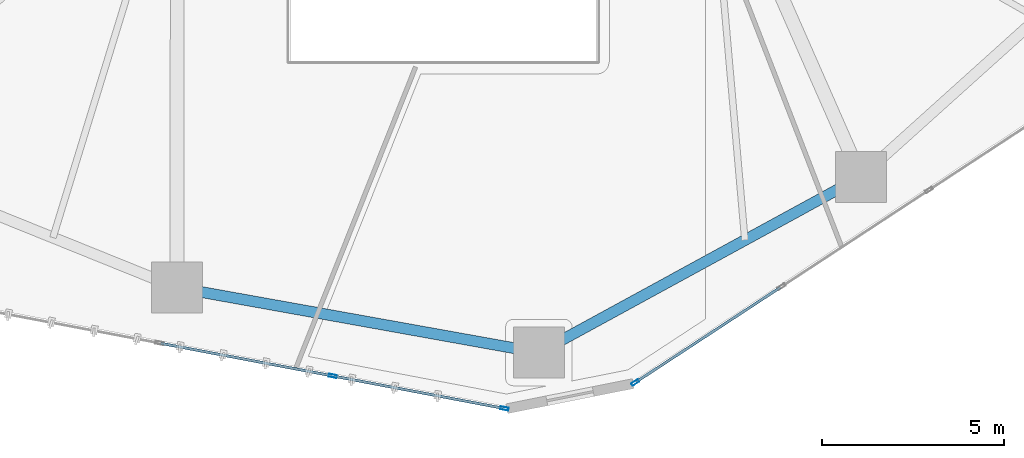
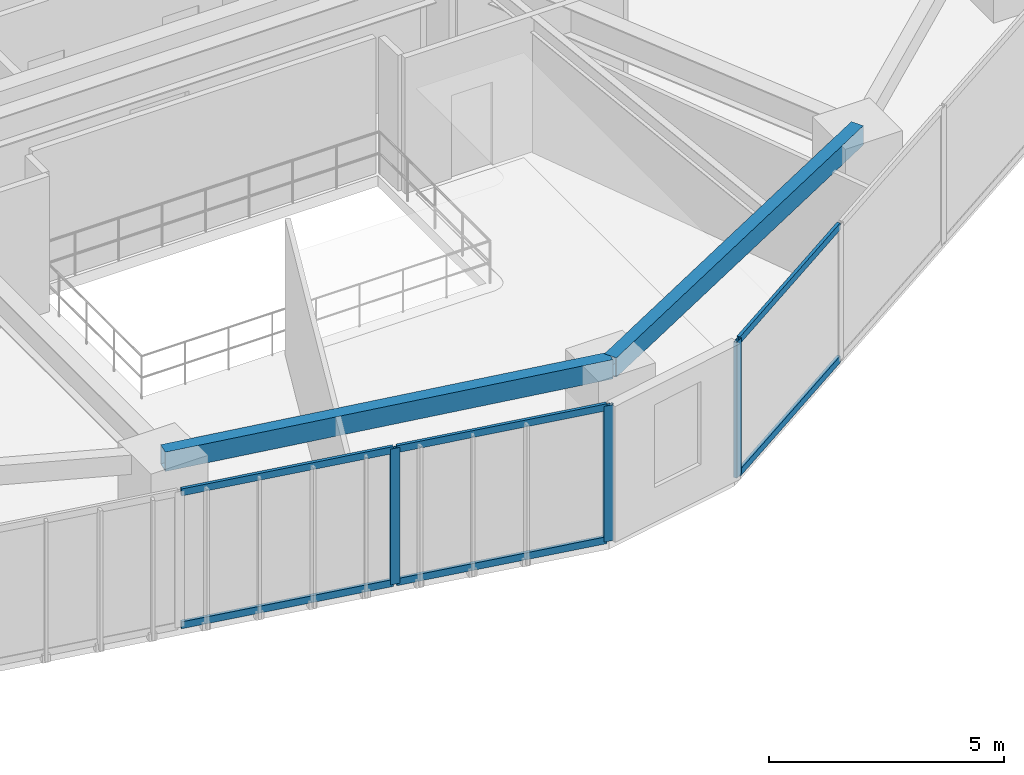
# One storey, part 4 of 20: 9 members, 2 beams, 2 elements without a shape of their own.
"""IFC4 building model written with IfcOpenShell, lengths in metres."""

from ifc_helpers import new_model, si_unit, direction, frame, origin, origin_2d, place, context, subcontext, project, spatial, hollow_rectangle, extrude, source, transform, mapped, material, layer, layer_set, material_profile, profile_set, type_object, type_shapes, element, aggregate, save


model = new_model("IFC4")

# Units and contexts
model_context = context("Model", 3, precision=1e-05, world=origin(), true_north=direction((0.0, 1.0)))
body_context = subcontext(model_context, "Body", "Model", "MODEL_VIEW")
ifc_project = project(units=[si_unit("LENGTHUNIT", "METRE"), si_unit("AREAUNIT", "SQUARE_METRE"), si_unit("VOLUMEUNIT", "CUBIC_METRE"), si_unit("PLANEANGLEUNIT", "RADIAN"), si_unit("MASSUNIT", "GRAM", prefix="KILO")], contexts=[model_context])

# Site, building, storey
site_placement = place(None, origin())
site = spatial("IfcSite", under=ifc_project, at=site_placement, CompositionType="ELEMENT")
building_placement = place(site_placement, origin())
building = spatial("IfcBuilding", under=site, at=building_placement, Name="Talar Marvaseh", CompositionType="ELEMENT")
storey_placement = place(building_placement, frame((0.0, 0.0, 58.199951171875)))
storey = spatial("IfcBuildingStorey", under=building, at=storey_placement, Name="L14", CompositionType="ELEMENT", Elevation=58.199951171875)

# Beams
ifc_material_1 = material(Name="Steel S355", Category="steel")
ifc_material_profile_1 = material_profile(ifc_material_1, hollow_rectangle(XDim=0.300048828125, YDim=0.5, WallThickness=0.02001953125, at=origin_2d()), Name="RHS500x300x20")
ifc_profile_set_1 = profile_set([ifc_material_profile_1], Name="Steel S355")
beam_type = type_object("IfcBeamType", Name="Zone 1 Perimeter Spandrel Beam RHS500x300x20", PredefinedType="SPANDREL", material=ifc_profile_set_1)
beam_1_placement = place(storey_placement, frame((37.468017578125, 16.02099609375, 3.27001953125), z_axis=(-0.877792749602, -0.47904059196, 0.0), x_axis=(0.47904059196, -0.877792749602, 0.0)))
element("IfcBeam", 1, at=beam_1_placement, inside=storey, type_object=beam_type, Name="L14 Zone 1 Perimeter Spandrel Beam RHS500x300x20", PredefinedType="SPANDREL", context=body_context, shape_type="SweptSolid", body=[
    extrude(hollow_rectangle(XDim=0.300048828125, YDim=0.5, WallThickness=0.02001953125, at=origin_2d()), origin(), (0.0, 0.0, 1.0), 10.07421875),
])
beam_2_placement = place(storey_placement, frame((28.625, 11.195068359375, 3.27001953125), z_axis=(-0.984279934962, 0.176615428632, 0.0), x_axis=(-0.176615428632, -0.984279934962, 0.0)))
element("IfcBeam", 2, at=beam_2_placement, inside=storey, type_object=beam_type, Name="L14 Zone 1 Perimeter Spandrel Beam RHS500x300x20", PredefinedType="SPANDREL", context=body_context, shape_type="SweptSolid", body=[
    extrude(hollow_rectangle(XDim=0.300048828125, YDim=0.5, WallThickness=0.02001953125, at=origin_2d()), origin(), (0.0, 0.0, 1.0), 10.1005859375),
])

# Curtain wall, member
ifc_material_2 = material(Name="Architectural Aluminium", Category="aluminium")
ifc_layer = layer(ifc_material_2, 0.219970703125)
ifc_layer_set = layer_set([ifc_layer], Name="Architectural Aluminium")
curtain_wall_type = type_object("IfcCurtainWallType", Name="Unitised Low-E Museum Curtain Wall Z1", PredefinedType="NOTDEFINED", material=ifc_layer_set)
curtain_wall_1_placement = place(storey_placement, origin())
curtain_wall_1 = element("IfcCurtainWall", 3, at=curtain_wall_1_placement, inside=storey, type_object=curtain_wall_type, Name="L14 Unitised Low-E Museum Curtain Wall Z1", PredefinedType="NOTDEFINED")
ifc_material_profile_2 = material_profile(ifc_material_2, hollow_rectangle(XDim=0.080078125, YDim=0.219970703125, WallThickness=0.0048828125, at=origin_2d()), Name="RHS220x80x5")
ifc_profile_set_2 = profile_set([ifc_material_profile_2], Name="Architectural Aluminium")
member_type_1 = type_object("IfcMemberType", Name="Unitised Curtain Wall Heavy Mullion RHS220x80x5", PredefinedType="MULLION", material=ifc_profile_set_2)
shared_shape_1 = source(origin(), body_context, "Body", "SweptSolid", [
    extrude(hollow_rectangle(XDim=0.080078125, YDim=0.219970703125, WallThickness=0.0048828125, at=origin_2d()), origin(), (0.0, 0.0, 1.0), 3.52001953125),
])
type_shapes(member_type_1, [shared_shape_1])
member_1_placement = place(storey_placement, frame((31.270263671875, 10.372314453125, 0.0), z_axis=(0.0, 0.0, 1.0), x_axis=(0.548163977673, -0.836370882792, 0.0)))
member_1 = element("IfcMember", 4, at=member_1_placement, type_object=member_type_1, Name="CW-Z1 mullion 6", PredefinedType="MULLION", context=body_context, shape_type="MappedRepresentation", body=[
    mapped(shared_shape_1, transform((0.0, 0.0, 0.0), x_axis=(1.0, 0.0, 0.0), y_axis=(0.0, 1.0, 0.0), z_axis=(0.0, 0.0, 1.0), scale=1.0)),
])

# Curtain wall, members
curtain_wall_2_placement = place(storey_placement, origin())
curtain_wall_2 = element("IfcCurtainWall", 5, at=curtain_wall_2_placement, inside=storey, type_object=curtain_wall_type, Name="L14 Unitised Low-E Museum Curtain Wall Z1", PredefinedType="NOTDEFINED")
member_2_placement = place(storey_placement, frame((27.685302734375, 9.659423828125, 0.0), z_axis=(0.0, 0.0, 1.0), x_axis=(-0.186373082508, -0.982479045128, 0.0)))
member_2 = element("IfcMember", 6, at=member_2_placement, type_object=member_type_1, Name="CW-Z1 mullion 1", PredefinedType="MULLION", context=body_context, shape_type="MappedRepresentation", body=[
    mapped(shared_shape_1, transform((0.0, 0.0, 0.0), x_axis=(1.0, 0.0, 0.0), y_axis=(0.0, 1.0, 0.0), z_axis=(0.0, 0.0, 1.0), scale=1.0)),
])
member_3_placement = place(storey_placement, frame((22.964111328125, 10.554931640625, 0.0), z_axis=(0.0, 0.0, 1.0), x_axis=(-0.186373082508, -0.982479045128, 0.0)))
member_3 = element("IfcMember", 7, at=member_3_placement, type_object=member_type_1, Name="CW-Z1 mullion 2", PredefinedType="MULLION", context=body_context, shape_type="MappedRepresentation", body=[
    mapped(shared_shape_1, transform((0.0, 0.0, 0.0), x_axis=(1.0, 0.0, 0.0), y_axis=(0.0, 1.0, 0.0), z_axis=(0.0, 0.0, 1.0), scale=1.0)),
])

# Member
ifc_material_profile_3 = material_profile(ifc_material_2, hollow_rectangle(XDim=0.074951171875, YDim=0.179931640625, WallThickness=0.0048828125, at=origin_2d()), Name="RHS180x75x5")
ifc_profile_set_3 = profile_set([ifc_material_profile_3], Name="Architectural Aluminium")
member_type_2 = type_object("IfcMemberType", Name="Unitised Curtain Wall Transom RHS180x75x5", PredefinedType="USERDEFINED", material=ifc_profile_set_3)
shared_shape_2 = source(origin(), body_context, "Body", "SweptSolid", [
    extrude(hollow_rectangle(XDim=0.074951171875, YDim=0.179931640625, WallThickness=0.0048828125, at=origin_2d()), origin(), (0.0, 0.0, 1.0), 4.725341796875),
])
member_4_placement = place(storey_placement, frame((35.255859375, 12.984619140625, 0.03759765625), z_axis=(-0.836364748466, -0.548173337115, 0.0), x_axis=(0.548173337115, -0.836364748466, 0.0)))
member_4 = element("IfcMember", 8, at=member_4_placement, type_object=member_type_2, Name="CW-Z1 transom 5.1", ObjectType="TRANSOM", PredefinedType="USERDEFINED", context=body_context, shape_type="MappedRepresentation", body=[
    mapped(shared_shape_2, transform((0.0, 0.0, 0.0), x_axis=(1.0, 0.0, 0.0), y_axis=(0.0, 1.0, 0.0), z_axis=(0.0, 0.0, 1.0), scale=1.0)),
])

member_5_placement = place(storey_placement, frame((35.255859375, 12.984619140625, 3.482666015625), z_axis=(-0.836364748466, -0.548173337115, 0.0), x_axis=(0.548173337115, -0.836364748466, 0.0)))
member_5 = element("IfcMember", 9, at=member_5_placement, type_object=member_type_2, Name="CW-Z1 transom 5.2", ObjectType="TRANSOM", PredefinedType="USERDEFINED", context=body_context, shape_type="MappedRepresentation", body=[
    mapped(shared_shape_2, transform((0.0, 0.0, 0.0), x_axis=(1.0, 0.0, 0.0), y_axis=(0.0, 1.0, 0.0), z_axis=(0.0, 0.0, 1.0), scale=1.0)),
])

aggregate(curtain_wall_1, [member_1, member_4, member_5])

member_6_placement = place(storey_placement, frame((27.64599609375, 9.666748046875, 0.03759765625), z_axis=(-0.982481631631, 0.18635944706, 0.0), x_axis=(-0.18635944706, -0.982481631631, 0.0)))
member_6 = element("IfcMember", 10, at=member_6_placement, type_object=member_type_2, Name="CW-Z1 transom 1.1", ObjectType="TRANSOM", PredefinedType="USERDEFINED", context=body_context, shape_type="MappedRepresentation", body=[
    mapped(shared_shape_2, transform((0.0, 0.0, 0.0), x_axis=(1.0, 0.0, 0.0), y_axis=(0.0, 1.0, 0.0), z_axis=(0.0, 0.0, 1.0), scale=1.0)),
])

member_7_placement = place(storey_placement, frame((27.64599609375, 9.666748046875, 3.482666015625), z_axis=(-0.982481631631, 0.18635944706, 0.0), x_axis=(-0.18635944706, -0.982481631631, 0.0)))
member_7 = element("IfcMember", 11, at=member_7_placement, type_object=member_type_2, Name="CW-Z1 transom 1.2", ObjectType="TRANSOM", PredefinedType="USERDEFINED", context=body_context, shape_type="MappedRepresentation", body=[
    mapped(shared_shape_2, transform((0.0, 0.0, 0.0), x_axis=(1.0, 0.0, 0.0), y_axis=(0.0, 1.0, 0.0), z_axis=(0.0, 0.0, 1.0), scale=1.0)),
])

shared_shape_3 = source(origin(), body_context, "Body", "SweptSolid", [
    extrude(hollow_rectangle(XDim=0.074951171875, YDim=0.179931640625, WallThickness=0.0048828125, at=origin_2d()), origin(), (0.0, 0.0, 1.0), 4.765380859375),
])
type_shapes(member_type_2, [shared_shape_2, shared_shape_3])
member_8_placement = place(storey_placement, frame((22.9248046875, 10.5625, 0.03759765625), z_axis=(-0.982486686016, 0.186332798511, 0.0), x_axis=(-0.186332798511, -0.982486686016, 0.0)))
member_8 = element("IfcMember", 12, at=member_8_placement, type_object=member_type_2, Name="CW-Z1 transom 2.1", ObjectType="TRANSOM", PredefinedType="USERDEFINED", context=body_context, shape_type="MappedRepresentation", body=[
    mapped(shared_shape_3, transform((0.0, 0.0, 0.0), x_axis=(1.0, 0.0, 0.0), y_axis=(0.0, 1.0, 0.0), z_axis=(0.0, 0.0, 1.0), scale=1.0)),
])

member_9_placement = place(storey_placement, frame((22.9248046875, 10.5625, 3.482666015625), z_axis=(-0.982486686016, 0.186332798511, 0.0), x_axis=(-0.186332798511, -0.982486686016, 0.0)))
member_9 = element("IfcMember", 13, at=member_9_placement, type_object=member_type_2, Name="CW-Z1 transom 2.2", ObjectType="TRANSOM", PredefinedType="USERDEFINED", context=body_context, shape_type="MappedRepresentation", body=[
    mapped(shared_shape_3, transform((0.0, 0.0, 0.0), x_axis=(1.0, 0.0, 0.0), y_axis=(0.0, 1.0, 0.0), z_axis=(0.0, 0.0, 1.0), scale=1.0)),
])

aggregate(curtain_wall_2, [member_2, member_3, member_6, member_7, member_8, member_9])

save(model, "model.ifc")
